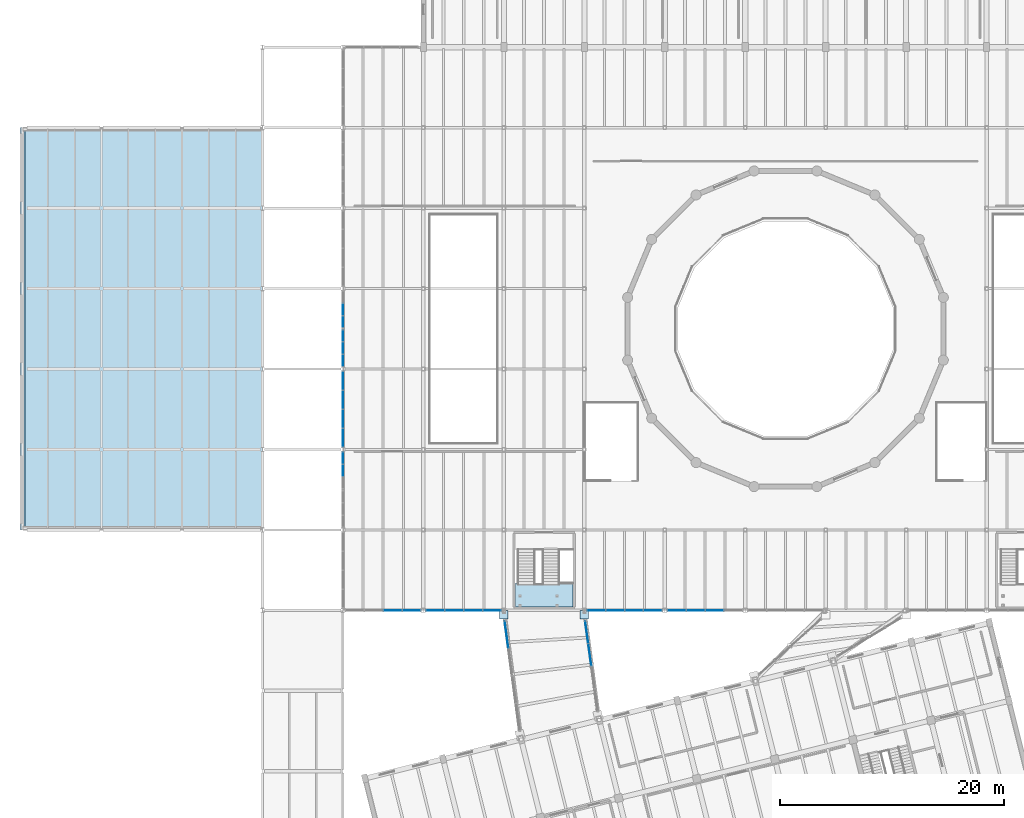
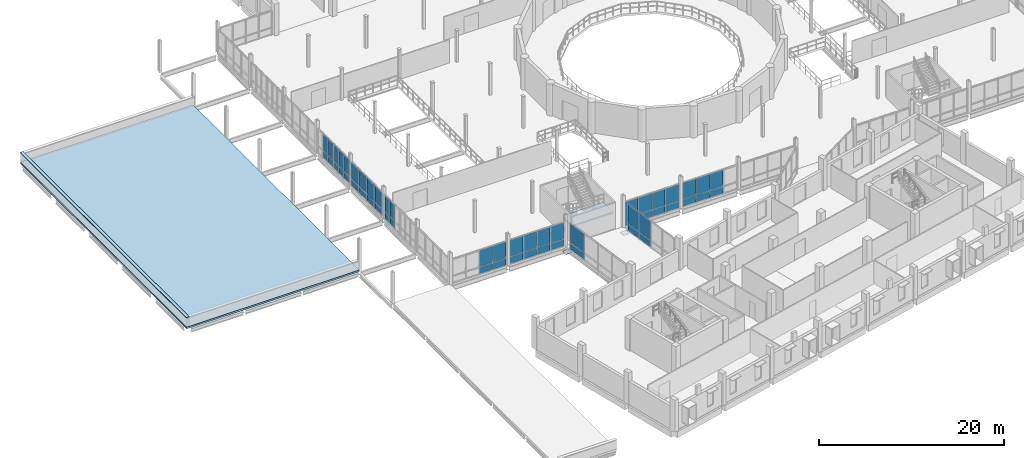
# One storey, part 44 of 72: 57 plates, 2 slabs, 11 elements without a shape of their own.
"""IFC4 building model written with IfcOpenShell, lengths in metres."""

from ifc_helpers import new_model, si_unit, direction, frame, frame_2d, origin, origin_2d, place, context, subcontext, project, spatial, polyline, rectangle, outline, extrude, material, layer, layer_set, type_object, element, aggregate, save


model = new_model("IFC4")

# Units and contexts
model_context = context("Model", 3, precision=1e-05, world=origin(), true_north=direction((0.0, 1.0)))
body_context = subcontext(model_context, "Body", "Model", "MODEL_VIEW")
ifc_project = project(units=[si_unit("LENGTHUNIT", "METRE"), si_unit("AREAUNIT", "SQUARE_METRE"), si_unit("VOLUMEUNIT", "CUBIC_METRE"), si_unit("PLANEANGLEUNIT", "RADIAN"), si_unit("MASSUNIT", "GRAM", prefix="KILO")], contexts=[model_context])

# Site, building, storey
site_placement = place(None, origin())
site = spatial("IfcSite", under=ifc_project, at=site_placement, CompositionType="ELEMENT")
building_placement = place(site_placement, origin())
building = spatial("IfcBuilding", under=site, at=building_placement, Name="Qiaolan Assembly House", CompositionType="ELEMENT")
storey_placement = place(building_placement, frame((0.0, 0.0, 10.199951171875)))
storey = spatial("IfcBuildingStorey", under=building, at=storey_placement, Name="L02", CompositionType="ELEMENT", Elevation=10.199951171875)

# Curtain wall, plates
ifc_material_1 = material(Name="Anodised bronze aluminium", Category="aluminium")
curtain_wall_type_1 = type_object("IfcCurtainWallType", Name="CW-BRIDGE-420", PredefinedType="NOTDEFINED", material=ifc_material_1)
curtain_wall_1_placement = place(storey_placement, origin())
curtain_wall_1 = element("IfcCurtainWall", 1, at=curtain_wall_1_placement, inside=storey, type_object=curtain_wall_type_1, Name="CW-03 Glazed Skybridge Curtain Wall WB L02 W", PredefinedType="NOTDEFINED")
ifc_material_2 = material(Name="Low-E double insulating glass", Category="glass")
ifc_layer_1 = layer(ifc_material_2, 0.030029296875)
ifc_layer_set_1 = layer_set([ifc_layer_1], Name="Low-E double insulating glass")
plate_type_1 = type_object("IfcPlateType", Name="CW-BRIDGE-420-PNL", PredefinedType="CURTAIN_PANEL", material=ifc_layer_set_1)
plate_1_placement = place(storey_placement, frame((43.6044921875, 32.62939453125, 0.05615234375), z_axis=(0.0, 0.0, 1.0), x_axis=(-0.134941925417, 0.990853509236, 0.0)))
plate_1 = element("IfcPlate", 2, at=plate_1_placement, type_object=plate_type_1, Name="GL-04 glazing panel CW-BRIDGE-WB-L02-W-7", PredefinedType="CURTAIN_PANEL", context=body_context, shape_type="SweptSolid", body=[
    extrude(rectangle(XDim=2.417236328125, YDim=0.030029296875, at=frame_2d((1.20849609375, 0.0))), origin(), (0.0, 0.0, 1.0), 0.867919921875),
])
plate_2_placement = place(storey_placement, frame((43.6044921875, 32.62939453125, 0.97607421875), z_axis=(0.0, 0.0, 1.0), x_axis=(-0.134941925417, 0.990853509236, 0.0)))
plate_2 = element("IfcPlate", 3, at=plate_2_placement, type_object=plate_type_1, Name="GL-04 glazing panel CW-BRIDGE-WB-L02-W-8", PredefinedType="CURTAIN_PANEL", context=body_context, shape_type="SweptSolid", body=[
    extrude(rectangle(XDim=2.417236328125, YDim=0.030029296875, at=frame_2d((1.20849609375, 0.0))), origin(), (0.0, 0.0, 1.0), 2.51806640625),
])
aggregate(curtain_wall_1, [plate_1, plate_2])

curtain_wall_2_placement = place(storey_placement, origin())
curtain_wall_2 = element("IfcCurtainWall", 4, at=curtain_wall_2_placement, inside=storey, type_object=curtain_wall_type_1, Name="CW-03 Glazed Skybridge Curtain Wall WB L02 E", PredefinedType="NOTDEFINED")
plate_3_placement = place(storey_placement, frame((50.479736328125, 35.0244140625, 0.05615234375), z_axis=(0.0, 0.0, 1.0), x_axis=(0.137480926683, -0.990504414326, 0.0)))
plate_3 = element("IfcPlate", 5, at=plate_3_placement, type_object=plate_type_1, Name="GL-04 glazing panel CW-BRIDGE-WB-L02-E-1", PredefinedType="CURTAIN_PANEL", context=body_context, shape_type="SweptSolid", body=[
    extrude(rectangle(XDim=1.978271484375, YDim=0.030029296875, at=frame_2d((0.9892578125, 0.0))), origin(), (0.0, 0.0, 1.0), 0.867919921875),
])
plate_4_placement = place(storey_placement, frame((50.479736328125, 35.0244140625, 0.97607421875), z_axis=(0.0, 0.0, 1.0), x_axis=(0.137480926683, -0.990504414326, 0.0)))
plate_4 = element("IfcPlate", 6, at=plate_4_placement, type_object=plate_type_1, Name="GL-04 glazing panel CW-BRIDGE-WB-L02-E-2", PredefinedType="CURTAIN_PANEL", context=body_context, shape_type="SweptSolid", body=[
    extrude(rectangle(XDim=1.978271484375, YDim=0.030029296875, at=frame_2d((0.9892578125, 0.0))), origin(), (0.0, 0.0, 1.0), 2.51806640625),
])
plate_5_placement = place(storey_placement, frame((50.76025390625, 33.003662109375, 0.05615234375), z_axis=(0.0, 0.0, 1.0), x_axis=(0.137343054833, -0.990523541007, 0.0)))
plate_5 = element("IfcPlate", 7, at=plate_5_placement, type_object=plate_type_1, Name="GL-04 glazing panel CW-BRIDGE-WB-L02-E-3", PredefinedType="CURTAIN_PANEL", context=body_context, shape_type="SweptSolid", body=[
    extrude(rectangle(XDim=1.978515625, YDim=0.030029296875, at=frame_2d((0.9892578125, 0.0))), origin(), (0.0, 0.0, 1.0), 0.867919921875),
])
plate_6_placement = place(storey_placement, frame((50.76025390625, 33.003662109375, 0.97607421875), z_axis=(0.0, 0.0, 1.0), x_axis=(0.137343054833, -0.990523541007, 0.0)))
plate_6 = element("IfcPlate", 8, at=plate_6_placement, type_object=plate_type_1, Name="GL-04 glazing panel CW-BRIDGE-WB-L02-E-4", PredefinedType="CURTAIN_PANEL", context=body_context, shape_type="SweptSolid", body=[
    extrude(rectangle(XDim=1.978515625, YDim=0.030029296875, at=frame_2d((0.9892578125, 0.0))), origin(), (0.0, 0.0, 1.0), 2.51806640625),
])
aggregate(curtain_wall_2, [plate_3, plate_4, plate_5, plate_6])

curtain_wall_type_2 = type_object("IfcCurtainWallType", Name="CW-HALL-UPPER-480", PredefinedType="NOTDEFINED", material=ifc_material_1)
curtain_wall_3_placement = place(storey_placement, origin())
curtain_wall_3 = element("IfcCurtainWall", 9, at=curtain_wall_3_placement, inside=storey, type_object=curtain_wall_type_2, Name="CW-01 Hall West facade L02-1B", PredefinedType="NOTDEFINED")
ifc_layer_2 = layer(ifc_material_2, 0.031982421875)
ifc_layer_set_2 = layer_set([ifc_layer_2], Name="Low-E double insulating glass")
plate_type_2 = type_object("IfcPlateType", Name="CW-HALL-UPPER-480-PNL", PredefinedType="CURTAIN_PANEL", material=ifc_layer_set_2)
plate_7_placement = place(storey_placement, frame((28.800048828125, 48.014892578125, 0.06005859375), z_axis=(0.0, 0.0, 1.0), x_axis=(0.0, 1.0, 0.0)))
plate_7 = element("IfcPlate", 10, at=plate_7_placement, type_object=plate_type_2, Name="GL-02 glazing panel CW-HALL-W-L02-1B-3", PredefinedType="CURTAIN_PANEL", context=body_context, shape_type="SweptSolid", body=[
    extrude(rectangle(XDim=1.030029296875, YDim=0.031982421875, at=frame_2d((0.51513671875, 0.0))), origin(), (0.0, 0.0, 1.0), 0.860107421875),
])
plate_8_placement = place(storey_placement, frame((28.800048828125, 48.014892578125, 0.97998046875), z_axis=(0.0, 0.0, 1.0), x_axis=(0.0, 1.0, 0.0)))
plate_8 = element("IfcPlate", 11, at=plate_8_placement, type_object=plate_type_2, Name="GL-02 glazing panel CW-HALL-W-L02-1B-4", PredefinedType="CURTAIN_PANEL", context=body_context, shape_type="SweptSolid", body=[
    extrude(rectangle(XDim=1.030029296875, YDim=0.031982421875, at=frame_2d((0.51513671875, 0.0))), origin(), (0.0, 0.0, 1.0), 2.16015625),
])
plate_9_placement = place(storey_placement, frame((28.800048828125, 49.114990234375, 0.06005859375), z_axis=(0.0, 0.0, 1.0), x_axis=(0.0, 1.0, 0.0)))
plate_9 = element("IfcPlate", 12, at=plate_9_placement, type_object=plate_type_2, Name="GL-02 glazing panel CW-HALL-W-L02-1B-5", PredefinedType="CURTAIN_PANEL", context=body_context, shape_type="SweptSolid", body=[
    extrude(rectangle(XDim=1.030029296875, YDim=0.031982421875, at=frame_2d((0.51513671875, 0.0))), origin(), (0.0, 0.0, 1.0), 0.860107421875),
])
plate_10_placement = place(storey_placement, frame((28.800048828125, 49.114990234375, 0.97998046875), z_axis=(0.0, 0.0, 1.0), x_axis=(0.0, 1.0, 0.0)))
plate_10 = element("IfcPlate", 13, at=plate_10_placement, type_object=plate_type_2, Name="GL-02 glazing panel CW-HALL-W-L02-1B-6", PredefinedType="CURTAIN_PANEL", context=body_context, shape_type="SweptSolid", body=[
    extrude(rectangle(XDim=1.030029296875, YDim=0.031982421875, at=frame_2d((0.51513671875, 0.0))), origin(), (0.0, 0.0, 1.0), 2.16015625),
])
aggregate(curtain_wall_3, [plate_7, plate_8, plate_9, plate_10])

curtain_wall_4_placement = place(storey_placement, origin())
curtain_wall_4 = element("IfcCurtainWall", 14, at=curtain_wall_4_placement, inside=storey, type_object=curtain_wall_type_2, Name="CW-01 Hall West facade L02-2", PredefinedType="NOTDEFINED")
plate_11_placement = place(storey_placement, frame((28.800048828125, 50.655029296875, 0.06005859375), z_axis=(0.0, 0.0, 1.0), x_axis=(0.0, 1.0, 0.0)))
plate_11 = element("IfcPlate", 15, at=plate_11_placement, type_object=plate_type_2, Name="GL-02 glazing panel CW-HALL-W-L02-2-1", PredefinedType="CURTAIN_PANEL", context=body_context, shape_type="SweptSolid", body=[
    extrude(rectangle(XDim=1.619873046875, YDim=0.031982421875, at=frame_2d((0.81005859375, 0.0))), origin(), (0.0, 0.0, 1.0), 0.860107421875),
])
plate_12_placement = place(storey_placement, frame((28.800048828125, 50.655029296875, 0.97998046875), z_axis=(0.0, 0.0, 1.0), x_axis=(0.0, 1.0, 0.0)))
plate_12 = element("IfcPlate", 16, at=plate_12_placement, type_object=plate_type_2, Name="GL-02 glazing panel CW-HALL-W-L02-2-2", PredefinedType="CURTAIN_PANEL", context=body_context, shape_type="SweptSolid", body=[
    extrude(rectangle(XDim=1.619873046875, YDim=0.031982421875, at=frame_2d((0.81005859375, 0.0))), origin(), (0.0, 0.0, 1.0), 2.16015625),
])
plate_13_placement = place(storey_placement, frame((28.800048828125, 52.344970703125, 0.06005859375), z_axis=(0.0, 0.0, 1.0), x_axis=(0.0, 1.0, 0.0)))
plate_13 = element("IfcPlate", 17, at=plate_13_placement, type_object=plate_type_2, Name="GL-02 glazing panel CW-HALL-W-L02-2-3", PredefinedType="CURTAIN_PANEL", context=body_context, shape_type="SweptSolid", body=[
    extrude(rectangle(XDim=1.6201171875, YDim=0.031982421875, at=frame_2d((0.81005859375, 0.0))), origin(), (0.0, 0.0, 1.0), 0.860107421875),
])
plate_14_placement = place(storey_placement, frame((28.800048828125, 52.344970703125, 0.97998046875), z_axis=(0.0, 0.0, 1.0), x_axis=(0.0, 1.0, 0.0)))
plate_14 = element("IfcPlate", 18, at=plate_14_placement, type_object=plate_type_2, Name="GL-02 glazing panel CW-HALL-W-L02-2-4", PredefinedType="CURTAIN_PANEL", context=body_context, shape_type="SweptSolid", body=[
    extrude(rectangle(XDim=1.6201171875, YDim=0.031982421875, at=frame_2d((0.81005859375, 0.0))), origin(), (0.0, 0.0, 1.0), 2.16015625),
])
plate_15_placement = place(storey_placement, frame((28.800048828125, 54.034912109375, 0.06005859375), z_axis=(0.0, 0.0, 1.0), x_axis=(0.0, 1.0, 0.0)))
plate_15 = element("IfcPlate", 19, at=plate_15_placement, type_object=plate_type_2, Name="GL-02 glazing panel CW-HALL-W-L02-2-5", PredefinedType="CURTAIN_PANEL", context=body_context, shape_type="SweptSolid", body=[
    extrude(rectangle(XDim=1.6201171875, YDim=0.031982421875, at=frame_2d((0.81005859375, 0.0))), origin(), (0.0, 0.0, 1.0), 0.860107421875),
])
plate_16_placement = place(storey_placement, frame((28.800048828125, 54.034912109375, 0.97998046875), z_axis=(0.0, 0.0, 1.0), x_axis=(0.0, 1.0, 0.0)))
plate_16 = element("IfcPlate", 20, at=plate_16_placement, type_object=plate_type_2, Name="GL-02 glazing panel CW-HALL-W-L02-2-6", PredefinedType="CURTAIN_PANEL", context=body_context, shape_type="SweptSolid", body=[
    extrude(rectangle(XDim=1.6201171875, YDim=0.031982421875, at=frame_2d((0.81005859375, 0.0))), origin(), (0.0, 0.0, 1.0), 2.16015625),
])
plate_17_placement = place(storey_placement, frame((28.800048828125, 55.72509765625, 0.06005859375), z_axis=(0.0, 0.0, 1.0), x_axis=(0.0, 1.0, 0.0)))
plate_17 = element("IfcPlate", 21, at=plate_17_placement, type_object=plate_type_2, Name="GL-02 glazing panel CW-HALL-W-L02-2-7", PredefinedType="CURTAIN_PANEL", context=body_context, shape_type="SweptSolid", body=[
    extrude(rectangle(XDim=1.619873046875, YDim=0.031982421875, at=frame_2d((0.81005859375, 0.0))), origin(), (0.0, 0.0, 1.0), 0.860107421875),
])
plate_18_placement = place(storey_placement, frame((28.800048828125, 55.72509765625, 0.97998046875), z_axis=(0.0, 0.0, 1.0), x_axis=(0.0, 1.0, 0.0)))
plate_18 = element("IfcPlate", 22, at=plate_18_placement, type_object=plate_type_2, Name="GL-02 glazing panel CW-HALL-W-L02-2-8", PredefinedType="CURTAIN_PANEL", context=body_context, shape_type="SweptSolid", body=[
    extrude(rectangle(XDim=1.619873046875, YDim=0.031982421875, at=frame_2d((0.81005859375, 0.0))), origin(), (0.0, 0.0, 1.0), 2.16015625),
])
aggregate(curtain_wall_4, [plate_11, plate_12, plate_13, plate_14, plate_15, plate_16, plate_17, plate_18])

curtain_wall_5_placement = place(storey_placement, origin())
curtain_wall_5 = element("IfcCurtainWall", 23, at=curtain_wall_5_placement, inside=storey, type_object=curtain_wall_type_2, Name="CW-01 Hall West facade L02-3A", PredefinedType="NOTDEFINED")
plate_19_placement = place(storey_placement, frame((28.800048828125, 57.85498046875, 0.06005859375), z_axis=(0.0, 0.0, 1.0), x_axis=(0.0, 1.0, 0.0)))
plate_19 = element("IfcPlate", 24, at=plate_19_placement, type_object=plate_type_2, Name="GL-02 glazing panel CW-HALL-W-L02-3A-1", PredefinedType="CURTAIN_PANEL", context=body_context, shape_type="SweptSolid", body=[
    extrude(rectangle(XDim=1.030029296875, YDim=0.031982421875, at=frame_2d((0.51513671875, 0.0))), origin(), (0.0, 0.0, 1.0), 0.860107421875),
])
plate_20_placement = place(storey_placement, frame((28.800048828125, 57.85498046875, 0.97998046875), z_axis=(0.0, 0.0, 1.0), x_axis=(0.0, 1.0, 0.0)))
plate_20 = element("IfcPlate", 25, at=plate_20_placement, type_object=plate_type_2, Name="GL-02 glazing panel CW-HALL-W-L02-3A-2", PredefinedType="CURTAIN_PANEL", context=body_context, shape_type="SweptSolid", body=[
    extrude(rectangle(XDim=1.030029296875, YDim=0.031982421875, at=frame_2d((0.51513671875, 0.0))), origin(), (0.0, 0.0, 1.0), 2.16015625),
])
plate_21_placement = place(storey_placement, frame((28.800048828125, 58.955078125, 0.06005859375), z_axis=(0.0, 0.0, 1.0), x_axis=(0.0, 1.0, 0.0)))
plate_21 = element("IfcPlate", 26, at=plate_21_placement, type_object=plate_type_2, Name="GL-02 glazing panel CW-HALL-W-L02-3A-3", PredefinedType="CURTAIN_PANEL", context=body_context, shape_type="SweptSolid", body=[
    extrude(rectangle(XDim=1.030029296875, YDim=0.031982421875, at=frame_2d((0.51513671875, 0.0))), origin(), (0.0, 0.0, 1.0), 0.860107421875),
])
plate_22_placement = place(storey_placement, frame((28.800048828125, 58.955078125, 0.97998046875), z_axis=(0.0, 0.0, 1.0), x_axis=(0.0, 1.0, 0.0)))
plate_22 = element("IfcPlate", 27, at=plate_22_placement, type_object=plate_type_2, Name="GL-02 glazing panel CW-HALL-W-L02-3A-4", PredefinedType="CURTAIN_PANEL", context=body_context, shape_type="SweptSolid", body=[
    extrude(rectangle(XDim=1.030029296875, YDim=0.031982421875, at=frame_2d((0.51513671875, 0.0))), origin(), (0.0, 0.0, 1.0), 2.16015625),
])
plate_23_placement = place(storey_placement, frame((28.800048828125, 60.054931640625, 0.06005859375), z_axis=(0.0, 0.0, 1.0), x_axis=(0.0, 1.0, 0.0)))
plate_23 = element("IfcPlate", 28, at=plate_23_placement, type_object=plate_type_2, Name="GL-02 glazing panel CW-HALL-W-L02-3A-5", PredefinedType="CURTAIN_PANEL", context=body_context, shape_type="SweptSolid", body=[
    extrude(rectangle(XDim=1.030029296875, YDim=0.031982421875, at=frame_2d((0.51513671875, 0.0))), origin(), (0.0, 0.0, 1.0), 0.860107421875),
])
plate_24_placement = place(storey_placement, frame((28.800048828125, 60.054931640625, 0.97998046875), z_axis=(0.0, 0.0, 1.0), x_axis=(0.0, 1.0, 0.0)))
plate_24 = element("IfcPlate", 29, at=plate_24_placement, type_object=plate_type_2, Name="GL-02 glazing panel CW-HALL-W-L02-3A-6", PredefinedType="CURTAIN_PANEL", context=body_context, shape_type="SweptSolid", body=[
    extrude(rectangle(XDim=1.030029296875, YDim=0.031982421875, at=frame_2d((0.51513671875, 0.0))), origin(), (0.0, 0.0, 1.0), 2.16015625),
])
aggregate(curtain_wall_5, [plate_19, plate_20, plate_21, plate_22, plate_23, plate_24])

curtain_wall_6_placement = place(storey_placement, origin())
curtain_wall_6 = element("IfcCurtainWall", 30, at=curtain_wall_6_placement, inside=storey, type_object=curtain_wall_type_2, Name="CW-01 Hall West facade L02-3B", PredefinedType="NOTDEFINED")
plate_25_placement = place(storey_placement, frame((28.800048828125, 61.31494140625, 0.06005859375), z_axis=(0.0, 0.0, 1.0), x_axis=(0.0, 1.0, 0.0)))
plate_25 = element("IfcPlate", 31, at=plate_25_placement, type_object=plate_type_2, Name="GL-02 glazing panel CW-HALL-W-L02-3B-1", PredefinedType="CURTAIN_PANEL", context=body_context, shape_type="SweptSolid", body=[
    extrude(rectangle(XDim=1.030029296875, YDim=0.031982421875, at=frame_2d((0.51513671875, 0.0))), origin(), (0.0, 0.0, 1.0), 0.860107421875),
])
plate_26_placement = place(storey_placement, frame((28.800048828125, 61.31494140625, 0.97998046875), z_axis=(0.0, 0.0, 1.0), x_axis=(0.0, 1.0, 0.0)))
plate_26 = element("IfcPlate", 32, at=plate_26_placement, type_object=plate_type_2, Name="GL-02 glazing panel CW-HALL-W-L02-3B-2", PredefinedType="CURTAIN_PANEL", context=body_context, shape_type="SweptSolid", body=[
    extrude(rectangle(XDim=1.030029296875, YDim=0.031982421875, at=frame_2d((0.51513671875, 0.0))), origin(), (0.0, 0.0, 1.0), 2.16015625),
])
plate_27_placement = place(storey_placement, frame((28.800048828125, 62.4150390625, 0.06005859375), z_axis=(0.0, 0.0, 1.0), x_axis=(0.0, 1.0, 0.0)))
plate_27 = element("IfcPlate", 33, at=plate_27_placement, type_object=plate_type_2, Name="GL-02 glazing panel CW-HALL-W-L02-3B-3", PredefinedType="CURTAIN_PANEL", context=body_context, shape_type="SweptSolid", body=[
    extrude(rectangle(XDim=1.030029296875, YDim=0.031982421875, at=frame_2d((0.51513671875, 0.0))), origin(), (0.0, 0.0, 1.0), 0.860107421875),
])
plate_28_placement = place(storey_placement, frame((28.800048828125, 62.4150390625, 0.97998046875), z_axis=(0.0, 0.0, 1.0), x_axis=(0.0, 1.0, 0.0)))
plate_28 = element("IfcPlate", 34, at=plate_28_placement, type_object=plate_type_2, Name="GL-02 glazing panel CW-HALL-W-L02-3B-4", PredefinedType="CURTAIN_PANEL", context=body_context, shape_type="SweptSolid", body=[
    extrude(rectangle(XDim=1.030029296875, YDim=0.031982421875, at=frame_2d((0.51513671875, 0.0))), origin(), (0.0, 0.0, 1.0), 2.16015625),
])
aggregate(curtain_wall_6, [plate_25, plate_26, plate_27, plate_28])

curtain_wall_7_placement = place(storey_placement, origin())
curtain_wall_7 = element("IfcCurtainWall", 35, at=curtain_wall_7_placement, inside=storey, type_object=curtain_wall_type_2, Name="CW-01 Hall South plaza curtain wall L02-1", PredefinedType="NOTDEFINED")
plate_29_placement = place(storey_placement, frame((32.43505859375, 36.0, 0.06005859375), z_axis=(0.0, 0.0, 1.0), x_axis=(1.0, 0.0, 0.0)))
plate_29 = element("IfcPlate", 36, at=plate_29_placement, type_object=plate_type_2, Name="GL-02 glazing panel CW-HALL-S-L02-00-5", PredefinedType="CURTAIN_PANEL", context=body_context, shape_type="SweptSolid", body=[
    extrude(rectangle(XDim=1.619873046875, YDim=0.031982421875, at=frame_2d((0.81005859375, 0.0))), origin(), (0.0, 0.0, 1.0), 0.860107421875),
])
plate_30_placement = place(storey_placement, frame((32.43505859375, 36.0, 0.97998046875), z_axis=(0.0, 0.0, 1.0), x_axis=(1.0, 0.0, 0.0)))
plate_30 = element("IfcPlate", 37, at=plate_30_placement, type_object=plate_type_2, Name="GL-02 glazing panel CW-HALL-S-L02-00-6", PredefinedType="CURTAIN_PANEL", context=body_context, shape_type="SweptSolid", body=[
    extrude(rectangle(XDim=1.619873046875, YDim=0.031982421875, at=frame_2d((0.81005859375, 0.0))), origin(), (0.0, 0.0, 1.0), 2.16015625),
])
plate_31_placement = place(storey_placement, frame((34.125, 36.0, 0.06005859375), z_axis=(0.0, 0.0, 1.0), x_axis=(1.0, 0.0, 0.0)))
plate_31 = element("IfcPlate", 38, at=plate_31_placement, type_object=plate_type_2, Name="GL-02 glazing panel CW-HALL-S-L02-00-7", PredefinedType="CURTAIN_PANEL", context=body_context, shape_type="SweptSolid", body=[
    extrude(rectangle(XDim=1.6201171875, YDim=0.031982421875, at=frame_2d((0.81005859375, 0.0))), origin(), (0.0, 0.0, 1.0), 0.860107421875),
])
plate_32_placement = place(storey_placement, frame((34.125, 36.0, 0.97998046875), z_axis=(0.0, 0.0, 1.0), x_axis=(1.0, 0.0, 0.0)))
plate_32 = element("IfcPlate", 39, at=plate_32_placement, type_object=plate_type_2, Name="GL-02 glazing panel CW-HALL-S-L02-00-8", PredefinedType="CURTAIN_PANEL", context=body_context, shape_type="SweptSolid", body=[
    extrude(rectangle(XDim=1.6201171875, YDim=0.031982421875, at=frame_2d((0.81005859375, 0.0))), origin(), (0.0, 0.0, 1.0), 2.16015625),
])
aggregate(curtain_wall_7, [plate_29, plate_30, plate_31, plate_32])

curtain_wall_8_placement = place(storey_placement, origin())
curtain_wall_8 = element("IfcCurtainWall", 40, at=curtain_wall_8_placement, inside=storey, type_object=curtain_wall_type_2, Name="CW-01 Hall South plaza curtain wall L02-2", PredefinedType="NOTDEFINED")
plate_33_placement = place(storey_placement, frame((36.2548828125, 36.0, 0.06005859375), z_axis=(0.0, 0.0, 1.0), x_axis=(1.0, 0.0, 0.0)))
plate_33 = element("IfcPlate", 41, at=plate_33_placement, type_object=plate_type_2, Name="GL-02 glazing panel CW-HALL-S-L02-01-1", PredefinedType="CURTAIN_PANEL", context=body_context, shape_type="SweptSolid", body=[
    extrude(rectangle(XDim=1.6201171875, YDim=0.031982421875, at=frame_2d((0.81005859375, 0.0))), origin(), (0.0, 0.0, 1.0), 0.860107421875),
])
plate_34_placement = place(storey_placement, frame((36.2548828125, 36.0, 0.97998046875), z_axis=(0.0, 0.0, 1.0), x_axis=(1.0, 0.0, 0.0)))
plate_34 = element("IfcPlate", 42, at=plate_34_placement, type_object=plate_type_2, Name="GL-02 glazing panel CW-HALL-S-L02-01-2", PredefinedType="CURTAIN_PANEL", context=body_context, shape_type="SweptSolid", body=[
    extrude(rectangle(XDim=1.6201171875, YDim=0.031982421875, at=frame_2d((0.81005859375, 0.0))), origin(), (0.0, 0.0, 1.0), 2.16015625),
])
plate_35_placement = place(storey_placement, frame((37.945068359375, 36.0, 0.06005859375), z_axis=(0.0, 0.0, 1.0), x_axis=(1.0, 0.0, 0.0)))
plate_35 = element("IfcPlate", 43, at=plate_35_placement, type_object=plate_type_2, Name="GL-02 glazing panel CW-HALL-S-L02-01-3", PredefinedType="CURTAIN_PANEL", context=body_context, shape_type="SweptSolid", body=[
    extrude(rectangle(XDim=1.619873046875, YDim=0.031982421875, at=frame_2d((0.81005859375, 0.0))), origin(), (0.0, 0.0, 1.0), 0.860107421875),
])
plate_36_placement = place(storey_placement, frame((37.945068359375, 36.0, 0.97998046875), z_axis=(0.0, 0.0, 1.0), x_axis=(1.0, 0.0, 0.0)))
plate_36 = element("IfcPlate", 44, at=plate_36_placement, type_object=plate_type_2, Name="GL-02 glazing panel CW-HALL-S-L02-01-4", PredefinedType="CURTAIN_PANEL", context=body_context, shape_type="SweptSolid", body=[
    extrude(rectangle(XDim=1.619873046875, YDim=0.031982421875, at=frame_2d((0.81005859375, 0.0))), origin(), (0.0, 0.0, 1.0), 2.16015625),
])
plate_37_placement = place(storey_placement, frame((39.635009765625, 36.0, 0.06005859375), z_axis=(0.0, 0.0, 1.0), x_axis=(1.0, 0.0, 0.0)))
plate_37 = element("IfcPlate", 45, at=plate_37_placement, type_object=plate_type_2, Name="GL-02 glazing panel CW-HALL-S-L02-01-5", PredefinedType="CURTAIN_PANEL", context=body_context, shape_type="SweptSolid", body=[
    extrude(rectangle(XDim=1.619873046875, YDim=0.031982421875, at=frame_2d((0.81005859375, 0.0))), origin(), (0.0, 0.0, 1.0), 0.860107421875),
])
plate_38_placement = place(storey_placement, frame((39.635009765625, 36.0, 0.97998046875), z_axis=(0.0, 0.0, 1.0), x_axis=(1.0, 0.0, 0.0)))
plate_38 = element("IfcPlate", 46, at=plate_38_placement, type_object=plate_type_2, Name="GL-02 glazing panel CW-HALL-S-L02-01-6", PredefinedType="CURTAIN_PANEL", context=body_context, shape_type="SweptSolid", body=[
    extrude(rectangle(XDim=1.619873046875, YDim=0.031982421875, at=frame_2d((0.81005859375, 0.0))), origin(), (0.0, 0.0, 1.0), 2.16015625),
])
plate_39_placement = place(storey_placement, frame((41.324951171875, 36.0, 0.06005859375), z_axis=(0.0, 0.0, 1.0), x_axis=(1.0, 0.0, 0.0)))
plate_39 = element("IfcPlate", 47, at=plate_39_placement, type_object=plate_type_2, Name="GL-02 glazing panel CW-HALL-S-L02-01-7", PredefinedType="CURTAIN_PANEL", context=body_context, shape_type="SweptSolid", body=[
    extrude(rectangle(XDim=1.6201171875, YDim=0.031982421875, at=frame_2d((0.81005859375, 0.0))), origin(), (0.0, 0.0, 1.0), 0.860107421875),
])
plate_40_placement = place(storey_placement, frame((41.324951171875, 36.0, 0.97998046875), z_axis=(0.0, 0.0, 1.0), x_axis=(1.0, 0.0, 0.0)))
plate_40 = element("IfcPlate", 48, at=plate_40_placement, type_object=plate_type_2, Name="GL-02 glazing panel CW-HALL-S-L02-01-8", PredefinedType="CURTAIN_PANEL", context=body_context, shape_type="SweptSolid", body=[
    extrude(rectangle(XDim=1.6201171875, YDim=0.031982421875, at=frame_2d((0.81005859375, 0.0))), origin(), (0.0, 0.0, 1.0), 2.16015625),
])
aggregate(curtain_wall_8, [plate_33, plate_34, plate_35, plate_36, plate_37, plate_38, plate_39, plate_40])

curtain_wall_9_placement = place(storey_placement, origin())
curtain_wall_9 = element("IfcCurtainWall", 49, at=curtain_wall_9_placement, inside=storey, type_object=curtain_wall_type_2, Name="CW-01 Hall South plaza curtain wall L02-4", PredefinedType="NOTDEFINED")
plate_41_placement = place(storey_placement, frame((50.655029296875, 36.0, 0.06005859375), z_axis=(0.0, 0.0, 1.0), x_axis=(1.0, 0.0, 0.0)))
plate_41 = element("IfcPlate", 50, at=plate_41_placement, type_object=plate_type_2, Name="GL-02 glazing panel CW-HALL-S-L02-03-1", PredefinedType="CURTAIN_PANEL", context=body_context, shape_type="SweptSolid", body=[
    extrude(rectangle(XDim=1.619873046875, YDim=0.031982421875, at=frame_2d((0.81005859375, 0.0))), origin(), (0.0, 0.0, 1.0), 0.860107421875),
])
plate_42_placement = place(storey_placement, frame((50.655029296875, 36.0, 0.97998046875), z_axis=(0.0, 0.0, 1.0), x_axis=(1.0, 0.0, 0.0)))
plate_42 = element("IfcPlate", 51, at=plate_42_placement, type_object=plate_type_2, Name="GL-02 glazing panel CW-HALL-S-L02-03-2", PredefinedType="CURTAIN_PANEL", context=body_context, shape_type="SweptSolid", body=[
    extrude(rectangle(XDim=1.619873046875, YDim=0.031982421875, at=frame_2d((0.81005859375, 0.0))), origin(), (0.0, 0.0, 1.0), 2.16015625),
])
plate_43_placement = place(storey_placement, frame((52.344970703125, 36.0, 0.06005859375), z_axis=(0.0, 0.0, 1.0), x_axis=(1.0, 0.0, 0.0)))
plate_43 = element("IfcPlate", 52, at=plate_43_placement, type_object=plate_type_2, Name="GL-02 glazing panel CW-HALL-S-L02-03-3", PredefinedType="CURTAIN_PANEL", context=body_context, shape_type="SweptSolid", body=[
    extrude(rectangle(XDim=1.6201171875, YDim=0.031982421875, at=frame_2d((0.81005859375, 0.0))), origin(), (0.0, 0.0, 1.0), 0.860107421875),
])
plate_44_placement = place(storey_placement, frame((52.344970703125, 36.0, 0.97998046875), z_axis=(0.0, 0.0, 1.0), x_axis=(1.0, 0.0, 0.0)))
plate_44 = element("IfcPlate", 53, at=plate_44_placement, type_object=plate_type_2, Name="GL-02 glazing panel CW-HALL-S-L02-03-4", PredefinedType="CURTAIN_PANEL", context=body_context, shape_type="SweptSolid", body=[
    extrude(rectangle(XDim=1.6201171875, YDim=0.031982421875, at=frame_2d((0.81005859375, 0.0))), origin(), (0.0, 0.0, 1.0), 2.16015625),
])
plate_45_placement = place(storey_placement, frame((54.034912109375, 36.0, 0.06005859375), z_axis=(0.0, 0.0, 1.0), x_axis=(1.0, 0.0, 0.0)))
plate_45 = element("IfcPlate", 54, at=plate_45_placement, type_object=plate_type_2, Name="GL-02 glazing panel CW-HALL-S-L02-03-5", PredefinedType="CURTAIN_PANEL", context=body_context, shape_type="SweptSolid", body=[
    extrude(rectangle(XDim=1.6201171875, YDim=0.031982421875, at=frame_2d((0.81005859375, 0.0))), origin(), (0.0, 0.0, 1.0), 0.860107421875),
])
plate_46_placement = place(storey_placement, frame((54.034912109375, 36.0, 0.97998046875), z_axis=(0.0, 0.0, 1.0), x_axis=(1.0, 0.0, 0.0)))
plate_46 = element("IfcPlate", 55, at=plate_46_placement, type_object=plate_type_2, Name="GL-02 glazing panel CW-HALL-S-L02-03-6", PredefinedType="CURTAIN_PANEL", context=body_context, shape_type="SweptSolid", body=[
    extrude(rectangle(XDim=1.6201171875, YDim=0.031982421875, at=frame_2d((0.81005859375, 0.0))), origin(), (0.0, 0.0, 1.0), 2.16015625),
])
plate_47_placement = place(storey_placement, frame((55.72509765625, 36.0, 0.06005859375), z_axis=(0.0, 0.0, 1.0), x_axis=(1.0, 0.0, 0.0)))
plate_47 = element("IfcPlate", 56, at=plate_47_placement, type_object=plate_type_2, Name="GL-02 glazing panel CW-HALL-S-L02-03-7", PredefinedType="CURTAIN_PANEL", context=body_context, shape_type="SweptSolid", body=[
    extrude(rectangle(XDim=1.619873046875, YDim=0.031982421875, at=frame_2d((0.81005859375, 0.0))), origin(), (0.0, 0.0, 1.0), 0.860107421875),
])
plate_48_placement = place(storey_placement, frame((55.72509765625, 36.0, 0.97998046875), z_axis=(0.0, 0.0, 1.0), x_axis=(1.0, 0.0, 0.0)))
plate_48 = element("IfcPlate", 57, at=plate_48_placement, type_object=plate_type_2, Name="GL-02 glazing panel CW-HALL-S-L02-03-8", PredefinedType="CURTAIN_PANEL", context=body_context, shape_type="SweptSolid", body=[
    extrude(rectangle(XDim=1.619873046875, YDim=0.031982421875, at=frame_2d((0.81005859375, 0.0))), origin(), (0.0, 0.0, 1.0), 2.16015625),
])
aggregate(curtain_wall_9, [plate_41, plate_42, plate_43, plate_44, plate_45, plate_46, plate_47, plate_48])

curtain_wall_10_placement = place(storey_placement, origin())
curtain_wall_10 = element("IfcCurtainWall", 58, at=curtain_wall_10_placement, inside=storey, type_object=curtain_wall_type_2, Name="CW-01 Hall South plaza curtain wall L02-5", PredefinedType="NOTDEFINED")
plate_49_placement = place(storey_placement, frame((57.85498046875, 36.0, 0.06005859375), z_axis=(0.0, 0.0, 1.0), x_axis=(1.0, 0.0, 0.0)))
plate_49 = element("IfcPlate", 59, at=plate_49_placement, type_object=plate_type_2, Name="GL-02 glazing panel CW-HALL-S-L02-04-1", PredefinedType="CURTAIN_PANEL", context=body_context, shape_type="SweptSolid", body=[
    extrude(rectangle(XDim=1.6201171875, YDim=0.031982421875, at=frame_2d((0.81005859375, 0.0))), origin(), (0.0, 0.0, 1.0), 0.860107421875),
])
plate_50_placement = place(storey_placement, frame((57.85498046875, 36.0, 0.97998046875), z_axis=(0.0, 0.0, 1.0), x_axis=(1.0, 0.0, 0.0)))
plate_50 = element("IfcPlate", 60, at=plate_50_placement, type_object=plate_type_2, Name="GL-02 glazing panel CW-HALL-S-L02-04-2", PredefinedType="CURTAIN_PANEL", context=body_context, shape_type="SweptSolid", body=[
    extrude(rectangle(XDim=1.6201171875, YDim=0.031982421875, at=frame_2d((0.81005859375, 0.0))), origin(), (0.0, 0.0, 1.0), 2.16015625),
])
plate_51_placement = place(storey_placement, frame((59.544921875, 36.0, 0.06005859375), z_axis=(0.0, 0.0, 1.0), x_axis=(1.0, 0.0, 0.0)))
plate_51 = element("IfcPlate", 61, at=plate_51_placement, type_object=plate_type_2, Name="GL-02 glazing panel CW-HALL-S-L02-04-3", PredefinedType="CURTAIN_PANEL", context=body_context, shape_type="SweptSolid", body=[
    extrude(rectangle(XDim=1.6201171875, YDim=0.031982421875, at=frame_2d((0.81005859375, 0.0))), origin(), (0.0, 0.0, 1.0), 0.860107421875),
])
plate_52_placement = place(storey_placement, frame((59.544921875, 36.0, 0.97998046875), z_axis=(0.0, 0.0, 1.0), x_axis=(1.0, 0.0, 0.0)))
plate_52 = element("IfcPlate", 62, at=plate_52_placement, type_object=plate_type_2, Name="GL-02 glazing panel CW-HALL-S-L02-04-4", PredefinedType="CURTAIN_PANEL", context=body_context, shape_type="SweptSolid", body=[
    extrude(rectangle(XDim=1.6201171875, YDim=0.031982421875, at=frame_2d((0.81005859375, 0.0))), origin(), (0.0, 0.0, 1.0), 2.16015625),
])
plate_53_placement = place(storey_placement, frame((61.235107421875, 36.0, 0.06005859375), z_axis=(0.0, 0.0, 1.0), x_axis=(1.0, 0.0, 0.0)))
plate_53 = element("IfcPlate", 63, at=plate_53_placement, type_object=plate_type_2, Name="GL-02 glazing panel CW-HALL-S-L02-04-5", PredefinedType="CURTAIN_PANEL", context=body_context, shape_type="SweptSolid", body=[
    extrude(rectangle(XDim=1.619873046875, YDim=0.031982421875, at=frame_2d((0.81005859375, 0.0))), origin(), (0.0, 0.0, 1.0), 0.860107421875),
])
plate_54_placement = place(storey_placement, frame((61.235107421875, 36.0, 0.97998046875), z_axis=(0.0, 0.0, 1.0), x_axis=(1.0, 0.0, 0.0)))
plate_54 = element("IfcPlate", 64, at=plate_54_placement, type_object=plate_type_2, Name="GL-02 glazing panel CW-HALL-S-L02-04-6", PredefinedType="CURTAIN_PANEL", context=body_context, shape_type="SweptSolid", body=[
    extrude(rectangle(XDim=1.619873046875, YDim=0.031982421875, at=frame_2d((0.81005859375, 0.0))), origin(), (0.0, 0.0, 1.0), 2.16015625),
])
aggregate(curtain_wall_10, [plate_49, plate_50, plate_51, plate_52, plate_53, plate_54])

# Plates
ifc_material_3 = material(Name="Honed pale limestone", Category="masonry")
ifc_layer_3 = layer(ifc_material_3, 0.074951171875)
ifc_layer_set_3 = layer_set([ifc_layer_3], Name="Honed pale limestone")
plate_type_3 = type_object("IfcPlateType", Name="PLT-COPING-STONE-380", PredefinedType="SHEET", material=ifc_layer_set_3)
plate_55_placement = place(storey_placement, frame((0.14990234375, 43.199951171875, 1.199951171875), z_axis=(0.0, 0.0, 1.0), x_axis=(0.0, 1.0, 0.0)))
element("IfcPlate", 65, at=plate_55_placement, inside=storey, type_object=plate_type_3, Name="CP-01 carved limestone parapet coping PAR-PORT-W", PredefinedType="SHEET", context=body_context, shape_type="SweptSolid", body=[
    extrude(rectangle(XDim=36.0, YDim=0.3798828125, at=frame_2d((18.0, 0.0))), origin(), (0.0, 0.0, 1.0), 0.0751953125),
])
ifc_material_4 = material(Name="Steel Q355B", Category="steel")
ifc_layer_4 = layer(ifc_material_4, 0.02490234375)
ifc_layer_set_4 = layer_set([ifc_layer_4], Name="Steel Q355B")
plate_type_4 = type_object("IfcPlateType", Name="PLT-SEAT-PTFE-450", PredefinedType="SHEET", material=ifc_layer_set_4)
for number, where, z_axis, x_axis, name in (
    (66, (43.199951171875, 35.625, -0.61181640625), (0.0, 0.0, 1.0), (1.0, 0.0, 0.0), "NP-03 Hall bridge 750mm steel seat shelf WB L02"),
    (67, (50.39990234375, 35.625, -0.61181640625), (0.0, 0.0, 1.0), (1.0, 0.0, 0.0), "NP-03 Hall bridge 750mm steel seat shelf WB L02"),
):
    element("IfcPlate", number, at=place(storey_placement, frame(where, z_axis=z_axis, x_axis=x_axis)), inside=storey, type_object=plate_type_4, Name=name, PredefinedType="SHEET", context=body_context, shape_type="SweptSolid", body=[
        extrude(rectangle(XDim=0.75, YDim=0.75, at=origin_2d()), origin(), (0.0, 0.0, 1.0), 0.035888671875),
    ])

# Stair, slab
ifc_material_5 = material(Name="Concrete C40/50", Category="concrete")
stair_type = type_object("IfcStairType", Name="STR-FOYER-420", PredefinedType="HALF_TURN_STAIR", material=ifc_material_5)
stair_placement = place(storey_placement, origin())
stair = element("IfcStair", 68, at=stair_placement, inside=storey, type_object=stair_type, Name="ST-13 Chamber Concourse Foyer Stair ST-F21", PredefinedType="HALF_TURN_STAIR")
ifc_layer_5 = layer(ifc_material_5, 0.199951171875)
ifc_layer_set_5 = layer_set([ifc_layer_5], Name="Concrete C40/50")
slab_type_1 = type_object("IfcSlabType", Name="SLB-LANDING-200", PredefinedType="LANDING", material=ifc_layer_set_5)
slab_1_placement = place(storey_placement, frame((0.0, 0.0, 1.900146484375)))
slab_1 = element("IfcSlab", 69, at=slab_1_placement, type_object=slab_type_1, Name="Stair landing LND-ST-F21-1", PredefinedType="LANDING", context=body_context, shape_type="SweptSolid", body=[
    extrude(outline(polyline([(44.219970703125, 36.320068359375), (44.219970703125, 38.469970703125), (49.3798828125, 38.469970703125), (49.3798828125, 36.320068359375), (44.219970703125, 36.320068359375)])), origin(), (0.0, 0.0, 1.0), 0.199951171875),
])
aggregate(stair, [slab_1])

# Slab
ifc_layer_6 = layer(ifc_material_5, 0.22509765625)
ifc_layer_set_6 = layer_set([ifc_layer_6], Name="Concrete C40/50")
slab_type_2 = type_object("IfcSlabType", Name="SLB-ROOF-PORTICO-225", PredefinedType="ROOF", material=ifc_layer_set_6)
slab_2_placement = place(storey_placement, frame((0.0, 0.0, -0.224853515625)))
element("IfcSlab", 70, at=slab_2_placement, inside=storey, type_object=slab_type_2, Name="RS-03 West Hexastyle Portico Canopy Roof Slab L02", PredefinedType="ROOF", context=body_context, shape_type="SweptSolid", body=[
    extrude(outline(polyline([(0.0, 43.199951171875), (21.60009765625, 43.199951171875), (21.60009765625, 79.199951171875), (0.0, 79.199951171875), (0.0, 43.199951171875)])), origin(), (0.0, 0.0, 1.0), 0.224853515625),
])

save(model, "model.ifc")
